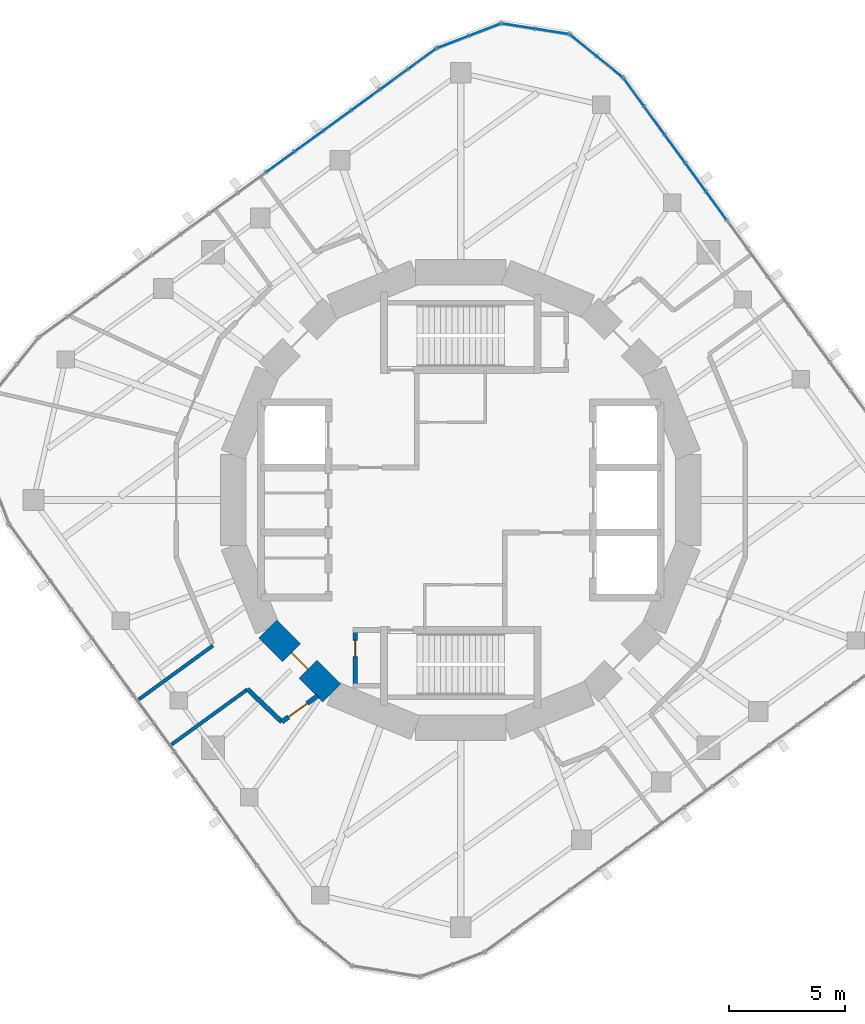
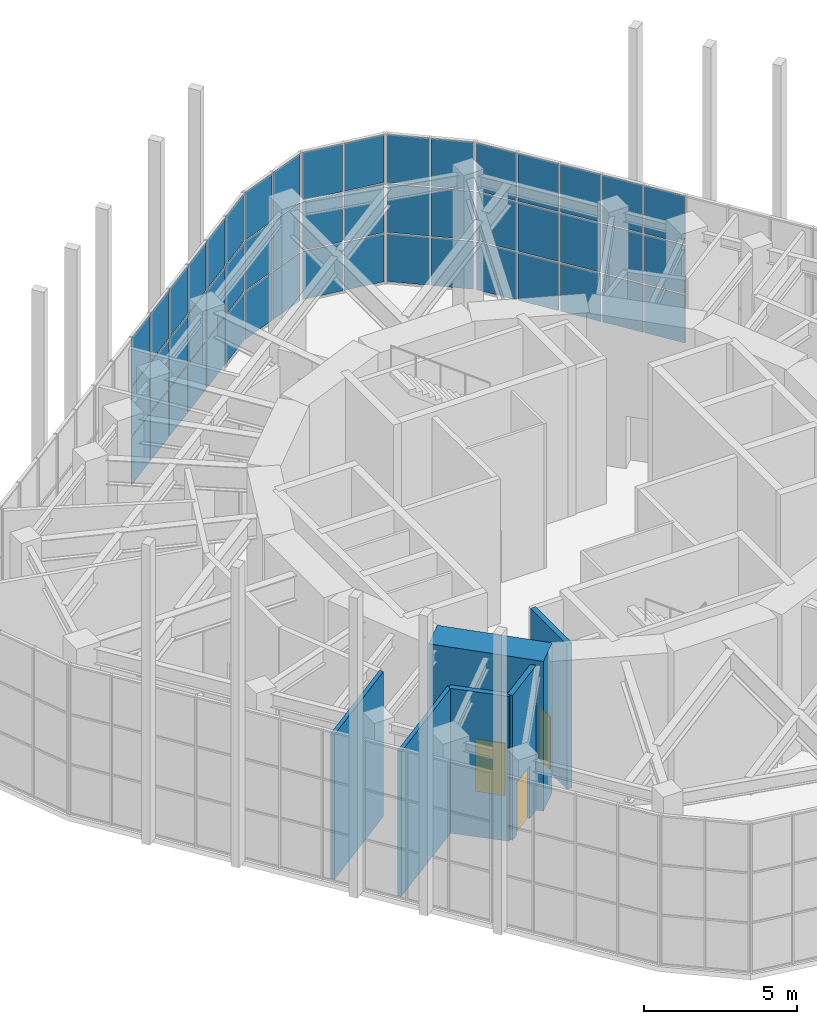
# One storey, part 14 of 17: 51 plates, 6 walls, 3 doors, 3 openings, 5 elements without a shape of their own.
"""IFC4 building model written with IfcOpenShell, lengths in metres."""

from ifc_helpers import new_model, si_unit, direction, frame, frame_2d, origin, origin_2d, place, context, subcontext, project, spatial, rectangle, extrude, material, layer, layer_set, type_object, element, fill, aggregate, save


model = new_model("IFC4")

# Units and contexts
model_context = context("Model", 3, precision=1e-05, world=origin(), true_north=direction((0.0, 1.0)))
body_context = subcontext(model_context, "Body", "Model", "MODEL_VIEW")
ifc_project = project(units=[si_unit("LENGTHUNIT", "METRE"), si_unit("AREAUNIT", "SQUARE_METRE"), si_unit("VOLUMEUNIT", "CUBIC_METRE"), si_unit("PLANEANGLEUNIT", "RADIAN"), si_unit("MASSUNIT", "GRAM", prefix="KILO")], contexts=[model_context])

# Site, building, storey
site_placement = place(None, origin())
site = spatial("IfcSite", under=ifc_project, at=site_placement, CompositionType="ELEMENT")
building_placement = place(site_placement, origin())
building = spatial("IfcBuilding", under=site, at=building_placement, Name="Nakasero Lantern House", CompositionType="ELEMENT")
storey_placement = place(building_placement, frame((0.0, 0.0, 298.39990234375)))
storey = spatial("IfcBuildingStorey", under=building, at=storey_placement, Name="L73", CompositionType="ELEMENT", Elevation=298.39990234375)

# Curtain wall, plates
ifc_material_1 = material(Name="Aluminium 6063-T6 and glass", Category="aluminium")
curtain_wall_type = type_object("IfcCurtainWallType", Name="Lantern glazing CW-4", PredefinedType="USERDEFINED", material=ifc_material_1)
curtain_wall_1_placement = place(storey_placement, origin())
curtain_wall_1 = element("IfcCurtainWall", 1, at=curtain_wall_1_placement, inside=storey, type_object=curtain_wall_type, Name="Curtain wall CW-4 L73", ObjectType="UNITISED CURTAIN WALL", PredefinedType="USERDEFINED")
ifc_material_2 = material(Name="Glass", Category="glass")
ifc_layer_1 = layer(ifc_material_2, 0.028076171875)
ifc_layer_set_1 = layer_set([ifc_layer_1], Name="Glazed panel CW-4")
plate_type = type_object("IfcPlateType", Name="Glazed panel CW-4", PredefinedType="CURTAIN_PANEL", material=ifc_layer_set_1)
plate_1_placement = place(storey_placement, frame((11.002197265625, 12.673095703125, 0.06005859375), z_axis=(0.0, 0.0, 1.0), x_axis=(-0.587785252292, 0.809016994375, 0.0)))
plate_1 = element("IfcPlate", 2, at=plate_1_placement, type_object=plate_type, Name="CW-4 panel 10.1", PredefinedType="CURTAIN_PANEL", context=body_context, shape_type="SweptSolid", body=[
    extrude(rectangle(XDim=1.454345703125, YDim=0.028076171875, at=origin_2d()), origin(), (0.0, 0.0, 1.0), 1.909912109375),
])
plate_2_placement = place(storey_placement, frame((11.002197265625, 12.673095703125, 2.030029296875), z_axis=(0.0, 0.0, 1.0), x_axis=(-0.587785252292, 0.809016994375, 0.0)))
plate_2 = element("IfcPlate", 3, at=plate_2_placement, type_object=plate_type, Name="CW-4 panel 10.2", PredefinedType="CURTAIN_PANEL", context=body_context, shape_type="SweptSolid", body=[
    extrude(rectangle(XDim=1.454345703125, YDim=0.028076171875, at=origin_2d()), origin(), (0.0, 0.0, 1.0), 1.93994140625),
])
plate_3_placement = place(storey_placement, frame((11.002197265625, 12.673095703125, 4.0302734375), z_axis=(0.0, 0.0, 1.0), x_axis=(-0.587785252292, 0.809016994375, 0.0)))
plate_3 = element("IfcPlate", 4, at=plate_3_placement, type_object=plate_type, Name="CW-4 panel 10.3", PredefinedType="CURTAIN_PANEL", context=body_context, shape_type="SweptSolid", body=[
    extrude(rectangle(XDim=1.454345703125, YDim=0.028076171875, at=origin_2d()), origin(), (0.0, 0.0, 1.0), 1.909912109375),
])
plate_4_placement = place(storey_placement, frame((10.112060546875, 13.898193359375, 0.06005859375), z_axis=(0.0, 0.0, 1.0), x_axis=(-0.587785252292, 0.809016994375, 0.0)))
plate_4 = element("IfcPlate", 5, at=plate_4_placement, type_object=plate_type, Name="CW-4 panel 11.1", PredefinedType="CURTAIN_PANEL", context=body_context, shape_type="SweptSolid", body=[
    extrude(rectangle(XDim=1.454345703125, YDim=0.028076171875, at=origin_2d()), origin(), (0.0, 0.0, 1.0), 1.909912109375),
])
plate_5_placement = place(storey_placement, frame((10.112060546875, 13.898193359375, 2.030029296875), z_axis=(0.0, 0.0, 1.0), x_axis=(-0.587785252292, 0.809016994375, 0.0)))
plate_5 = element("IfcPlate", 6, at=plate_5_placement, type_object=plate_type, Name="CW-4 panel 11.2", PredefinedType="CURTAIN_PANEL", context=body_context, shape_type="SweptSolid", body=[
    extrude(rectangle(XDim=1.454345703125, YDim=0.028076171875, at=origin_2d()), origin(), (0.0, 0.0, 1.0), 1.93994140625),
])
plate_6_placement = place(storey_placement, frame((10.112060546875, 13.898193359375, 4.0302734375), z_axis=(0.0, 0.0, 1.0), x_axis=(-0.587785252292, 0.809016994375, 0.0)))
plate_6 = element("IfcPlate", 7, at=plate_6_placement, type_object=plate_type, Name="CW-4 panel 11.3", PredefinedType="CURTAIN_PANEL", context=body_context, shape_type="SweptSolid", body=[
    extrude(rectangle(XDim=1.454345703125, YDim=0.028076171875, at=origin_2d()), origin(), (0.0, 0.0, 1.0), 1.909912109375),
])
plate_7_placement = place(storey_placement, frame((9.22216796875, 15.123046875, 0.06005859375), z_axis=(0.0, 0.0, 1.0), x_axis=(-0.587785252292, 0.809016994375, 0.0)))
plate_7 = element("IfcPlate", 8, at=plate_7_placement, type_object=plate_type, Name="CW-4 panel 12.1", PredefinedType="CURTAIN_PANEL", context=body_context, shape_type="SweptSolid", body=[
    extrude(rectangle(XDim=1.454345703125, YDim=0.028076171875, at=origin_2d()), origin(), (0.0, 0.0, 1.0), 1.909912109375),
])
plate_8_placement = place(storey_placement, frame((9.22216796875, 15.123046875, 2.030029296875), z_axis=(0.0, 0.0, 1.0), x_axis=(-0.587785252292, 0.809016994375, 0.0)))
plate_8 = element("IfcPlate", 9, at=plate_8_placement, type_object=plate_type, Name="CW-4 panel 12.2", PredefinedType="CURTAIN_PANEL", context=body_context, shape_type="SweptSolid", body=[
    extrude(rectangle(XDim=1.454345703125, YDim=0.028076171875, at=origin_2d()), origin(), (0.0, 0.0, 1.0), 1.93994140625),
])
plate_9_placement = place(storey_placement, frame((9.22216796875, 15.123046875, 4.0302734375), z_axis=(0.0, 0.0, 1.0), x_axis=(-0.587785252292, 0.809016994375, 0.0)))
plate_9 = element("IfcPlate", 10, at=plate_9_placement, type_object=plate_type, Name="CW-4 panel 12.3", PredefinedType="CURTAIN_PANEL", context=body_context, shape_type="SweptSolid", body=[
    extrude(rectangle(XDim=1.454345703125, YDim=0.028076171875, at=origin_2d()), origin(), (0.0, 0.0, 1.0), 1.909912109375),
])
plate_10_placement = place(storey_placement, frame((8.33203125, 16.34814453125, 0.06005859375), z_axis=(0.0, 0.0, 1.0), x_axis=(-0.587785252292, 0.809016994375, 0.0)))
plate_10 = element("IfcPlate", 11, at=plate_10_placement, type_object=plate_type, Name="CW-4 panel 13.1", PredefinedType="CURTAIN_PANEL", context=body_context, shape_type="SweptSolid", body=[
    extrude(rectangle(XDim=1.454345703125, YDim=0.028076171875, at=origin_2d()), origin(), (0.0, 0.0, 1.0), 1.909912109375),
])
plate_11_placement = place(storey_placement, frame((8.33203125, 16.34814453125, 2.030029296875), z_axis=(0.0, 0.0, 1.0), x_axis=(-0.587785252292, 0.809016994375, 0.0)))
plate_11 = element("IfcPlate", 12, at=plate_11_placement, type_object=plate_type, Name="CW-4 panel 13.2", PredefinedType="CURTAIN_PANEL", context=body_context, shape_type="SweptSolid", body=[
    extrude(rectangle(XDim=1.454345703125, YDim=0.028076171875, at=origin_2d()), origin(), (0.0, 0.0, 1.0), 1.93994140625),
])
plate_12_placement = place(storey_placement, frame((8.33203125, 16.34814453125, 4.0302734375), z_axis=(0.0, 0.0, 1.0), x_axis=(-0.587785252292, 0.809016994375, 0.0)))
plate_12 = element("IfcPlate", 13, at=plate_12_placement, type_object=plate_type, Name="CW-4 panel 13.3", PredefinedType="CURTAIN_PANEL", context=body_context, shape_type="SweptSolid", body=[
    extrude(rectangle(XDim=1.454345703125, YDim=0.028076171875, at=origin_2d()), origin(), (0.0, 0.0, 1.0), 1.909912109375),
])
plate_13_placement = place(storey_placement, frame((7.45068359375, 17.561279296875, 0.06005859375), z_axis=(0.0, 0.0, 1.0), x_axis=(-0.587785252292, 0.809016994375, 0.0)))
plate_13 = element("IfcPlate", 14, at=plate_13_placement, type_object=plate_type, Name="CW-4 panel 14.1", PredefinedType="CURTAIN_PANEL", context=body_context, shape_type="SweptSolid", body=[
    extrude(rectangle(XDim=1.42431640625, YDim=0.028076171875, at=origin_2d()), origin(), (0.0, 0.0, 1.0), 1.909912109375),
])
plate_14_placement = place(storey_placement, frame((7.45068359375, 17.561279296875, 2.030029296875), z_axis=(0.0, 0.0, 1.0), x_axis=(-0.587785252292, 0.809016994375, 0.0)))
plate_14 = element("IfcPlate", 15, at=plate_14_placement, type_object=plate_type, Name="CW-4 panel 14.2", PredefinedType="CURTAIN_PANEL", context=body_context, shape_type="SweptSolid", body=[
    extrude(rectangle(XDim=1.42431640625, YDim=0.028076171875, at=origin_2d()), origin(), (0.0, 0.0, 1.0), 1.93994140625),
])
plate_15_placement = place(storey_placement, frame((7.45068359375, 17.561279296875, 4.0302734375), z_axis=(0.0, 0.0, 1.0), x_axis=(-0.587785252292, 0.809016994375, 0.0)))
plate_15 = element("IfcPlate", 16, at=plate_15_placement, type_object=plate_type, Name="CW-4 panel 14.3", PredefinedType="CURTAIN_PANEL", context=body_context, shape_type="SweptSolid", body=[
    extrude(rectangle(XDim=1.42431640625, YDim=0.028076171875, at=origin_2d()), origin(), (0.0, 0.0, 1.0), 1.909912109375),
])
aggregate(curtain_wall_1, [plate_1, plate_2, plate_3, plate_4, plate_5, plate_6, plate_7, plate_8, plate_9, plate_10, plate_11, plate_12, plate_13, plate_14, plate_15])

curtain_wall_2_placement = place(storey_placement, origin())
curtain_wall_2 = element("IfcCurtainWall", 17, at=curtain_wall_2_placement, inside=storey, type_object=curtain_wall_type, Name="Curtain wall CW-4 L73", ObjectType="UNITISED CURTAIN WALL", PredefinedType="USERDEFINED")
plate_16_placement = place(storey_placement, frame((6.406982421875, 18.66357421875, 0.06005859375), z_axis=(0.0, 0.0, 1.0), x_axis=(-0.777145961424, 0.629320391091, 0.0)))
plate_16 = element("IfcPlate", 18, at=plate_16_placement, type_object=plate_type, Name="CW-4 panel 1.1", PredefinedType="CURTAIN_PANEL", context=body_context, shape_type="SweptSolid", body=[
    extrude(rectangle(XDim=1.398193359375, YDim=0.028076171875, at=origin_2d()), origin(), (0.0, 0.0, 1.0), 1.909912109375),
])
plate_17_placement = place(storey_placement, frame((6.406982421875, 18.66357421875, 2.030029296875), z_axis=(0.0, 0.0, 1.0), x_axis=(-0.777145961424, 0.629320391091, 0.0)))
plate_17 = element("IfcPlate", 19, at=plate_17_placement, type_object=plate_type, Name="CW-4 panel 1.2", PredefinedType="CURTAIN_PANEL", context=body_context, shape_type="SweptSolid", body=[
    extrude(rectangle(XDim=1.398193359375, YDim=0.028076171875, at=origin_2d()), origin(), (0.0, 0.0, 1.0), 1.93994140625),
])
plate_18_placement = place(storey_placement, frame((6.406982421875, 18.66357421875, 4.0302734375), z_axis=(0.0, 0.0, 1.0), x_axis=(-0.777145961424, 0.629320391091, 0.0)))
plate_18 = element("IfcPlate", 20, at=plate_18_placement, type_object=plate_type, Name="CW-4 panel 1.3", PredefinedType="CURTAIN_PANEL", context=body_context, shape_type="SweptSolid", body=[
    extrude(rectangle(XDim=1.398193359375, YDim=0.028076171875, at=origin_2d()), origin(), (0.0, 0.0, 1.0), 1.909912109375),
])
plate_19_placement = place(storey_placement, frame((5.273681640625, 19.581298828125, 0.06005859375), z_axis=(0.0, 0.0, 1.0), x_axis=(-0.777145961424, 0.629320391091, 0.0)))
plate_19 = element("IfcPlate", 21, at=plate_19_placement, type_object=plate_type, Name="CW-4 panel 2.1", PredefinedType="CURTAIN_PANEL", context=body_context, shape_type="SweptSolid", body=[
    extrude(rectangle(XDim=1.398193359375, YDim=0.028076171875, at=origin_2d()), origin(), (0.0, 0.0, 1.0), 1.909912109375),
])
plate_20_placement = place(storey_placement, frame((5.273681640625, 19.581298828125, 2.030029296875), z_axis=(0.0, 0.0, 1.0), x_axis=(-0.777145961424, 0.629320391091, 0.0)))
plate_20 = element("IfcPlate", 22, at=plate_20_placement, type_object=plate_type, Name="CW-4 panel 2.2", PredefinedType="CURTAIN_PANEL", context=body_context, shape_type="SweptSolid", body=[
    extrude(rectangle(XDim=1.398193359375, YDim=0.028076171875, at=origin_2d()), origin(), (0.0, 0.0, 1.0), 1.93994140625),
])
plate_21_placement = place(storey_placement, frame((5.273681640625, 19.581298828125, 4.0302734375), z_axis=(0.0, 0.0, 1.0), x_axis=(-0.777145961424, 0.629320391091, 0.0)))
plate_21 = element("IfcPlate", 23, at=plate_21_placement, type_object=plate_type, Name="CW-4 panel 2.3", PredefinedType="CURTAIN_PANEL", context=body_context, shape_type="SweptSolid", body=[
    extrude(rectangle(XDim=1.398193359375, YDim=0.028076171875, at=origin_2d()), origin(), (0.0, 0.0, 1.0), 1.909912109375),
])
aggregate(curtain_wall_2, [plate_16, plate_17, plate_18, plate_19, plate_20, plate_21])

curtain_wall_3_placement = place(storey_placement, origin())
curtain_wall_3 = element("IfcCurtainWall", 24, at=curtain_wall_3_placement, inside=storey, type_object=curtain_wall_type, Name="Curtain wall CW-4 L73", ObjectType="UNITISED CURTAIN WALL", PredefinedType="USERDEFINED")
plate_22_placement = place(storey_placement, frame((3.93408203125, 20.177734375, 0.06005859375), z_axis=(0.0, 0.0, 1.0), x_axis=(-0.987688340595, 0.15643446504, 0.0)))
plate_22 = element("IfcPlate", 25, at=plate_22_placement, type_object=plate_type, Name="CW-4 panel 1.1", PredefinedType="CURTAIN_PANEL", context=body_context, shape_type="SweptSolid", body=[
    extrude(rectangle(XDim=1.398193359375, YDim=0.028076171875, at=origin_2d()), origin(), (0.0, 0.0, 1.0), 1.909912109375),
])
plate_23_placement = place(storey_placement, frame((3.93408203125, 20.177734375, 2.030029296875), z_axis=(0.0, 0.0, 1.0), x_axis=(-0.987688340595, 0.15643446504, 0.0)))
plate_23 = element("IfcPlate", 26, at=plate_23_placement, type_object=plate_type, Name="CW-4 panel 1.2", PredefinedType="CURTAIN_PANEL", context=body_context, shape_type="SweptSolid", body=[
    extrude(rectangle(XDim=1.398193359375, YDim=0.028076171875, at=origin_2d()), origin(), (0.0, 0.0, 1.0), 1.93994140625),
])
plate_24_placement = place(storey_placement, frame((3.93408203125, 20.177734375, 4.0302734375), z_axis=(0.0, 0.0, 1.0), x_axis=(-0.987688340595, 0.15643446504, 0.0)))
plate_24 = element("IfcPlate", 27, at=plate_24_placement, type_object=plate_type, Name="CW-4 panel 1.3", PredefinedType="CURTAIN_PANEL", context=body_context, shape_type="SweptSolid", body=[
    extrude(rectangle(XDim=1.398193359375, YDim=0.028076171875, at=origin_2d()), origin(), (0.0, 0.0, 1.0), 1.909912109375),
])
plate_25_placement = place(storey_placement, frame((2.493896484375, 20.40576171875, 0.06005859375), z_axis=(0.0, 0.0, 1.0), x_axis=(-0.987688340595, 0.15643446504, 0.0)))
plate_25 = element("IfcPlate", 28, at=plate_25_placement, type_object=plate_type, Name="CW-4 panel 2.1", PredefinedType="CURTAIN_PANEL", context=body_context, shape_type="SweptSolid", body=[
    extrude(rectangle(XDim=1.398193359375, YDim=0.028076171875, at=origin_2d()), origin(), (0.0, 0.0, 1.0), 1.909912109375),
])
plate_26_placement = place(storey_placement, frame((2.493896484375, 20.40576171875, 2.030029296875), z_axis=(0.0, 0.0, 1.0), x_axis=(-0.987688340595, 0.15643446504, 0.0)))
plate_26 = element("IfcPlate", 29, at=plate_26_placement, type_object=plate_type, Name="CW-4 panel 2.2", PredefinedType="CURTAIN_PANEL", context=body_context, shape_type="SweptSolid", body=[
    extrude(rectangle(XDim=1.398193359375, YDim=0.028076171875, at=origin_2d()), origin(), (0.0, 0.0, 1.0), 1.93994140625),
])
plate_27_placement = place(storey_placement, frame((2.493896484375, 20.40576171875, 4.0302734375), z_axis=(0.0, 0.0, 1.0), x_axis=(-0.987688340595, 0.15643446504, 0.0)))
plate_27 = element("IfcPlate", 30, at=plate_27_placement, type_object=plate_type, Name="CW-4 panel 2.3", PredefinedType="CURTAIN_PANEL", context=body_context, shape_type="SweptSolid", body=[
    extrude(rectangle(XDim=1.398193359375, YDim=0.028076171875, at=origin_2d()), origin(), (0.0, 0.0, 1.0), 1.909912109375),
])
aggregate(curtain_wall_3, [plate_22, plate_23, plate_24, plate_25, plate_26, plate_27])

curtain_wall_4_placement = place(storey_placement, origin())
curtain_wall_4 = element("IfcCurtainWall", 31, at=curtain_wall_4_placement, inside=storey, type_object=curtain_wall_type, Name="Curtain wall CW-4 L73", ObjectType="UNITISED CURTAIN WALL", PredefinedType="USERDEFINED")
plate_28_placement = place(storey_placement, frame((1.035400390625, 20.252685546875, 0.06005859375), z_axis=(0.0, 0.0, 1.0), x_axis=(-0.933580426472, -0.35836794961, 0.0)))
plate_28 = element("IfcPlate", 32, at=plate_28_placement, type_object=plate_type, Name="CW-4 panel 1.1", PredefinedType="CURTAIN_PANEL", context=body_context, shape_type="SweptSolid", body=[
    extrude(rectangle(XDim=1.398193359375, YDim=0.028076171875, at=origin_2d()), origin(), (0.0, 0.0, 1.0), 1.909912109375),
])
plate_29_placement = place(storey_placement, frame((1.035400390625, 20.252685546875, 2.030029296875), z_axis=(0.0, 0.0, 1.0), x_axis=(-0.933580426472, -0.35836794961, 0.0)))
plate_29 = element("IfcPlate", 33, at=plate_29_placement, type_object=plate_type, Name="CW-4 panel 1.2", PredefinedType="CURTAIN_PANEL", context=body_context, shape_type="SweptSolid", body=[
    extrude(rectangle(XDim=1.398193359375, YDim=0.028076171875, at=origin_2d()), origin(), (0.0, 0.0, 1.0), 1.93994140625),
])
plate_30_placement = place(storey_placement, frame((1.035400390625, 20.252685546875, 4.0302734375), z_axis=(0.0, 0.0, 1.0), x_axis=(-0.933580426472, -0.35836794961, 0.0)))
plate_30 = element("IfcPlate", 34, at=plate_30_placement, type_object=plate_type, Name="CW-4 panel 1.3", PredefinedType="CURTAIN_PANEL", context=body_context, shape_type="SweptSolid", body=[
    extrude(rectangle(XDim=1.398193359375, YDim=0.028076171875, at=origin_2d()), origin(), (0.0, 0.0, 1.0), 1.909912109375),
])
plate_31_placement = place(storey_placement, frame((-0.325927734375, 19.72998046875, 0.06005859375), z_axis=(0.0, 0.0, 1.0), x_axis=(-0.933580426472, -0.35836794961, 0.0)))
plate_31 = element("IfcPlate", 35, at=plate_31_placement, type_object=plate_type, Name="CW-4 panel 2.1", PredefinedType="CURTAIN_PANEL", context=body_context, shape_type="SweptSolid", body=[
    extrude(rectangle(XDim=1.398193359375, YDim=0.028076171875, at=origin_2d()), origin(), (0.0, 0.0, 1.0), 1.909912109375),
])
plate_32_placement = place(storey_placement, frame((-0.325927734375, 19.72998046875, 2.030029296875), z_axis=(0.0, 0.0, 1.0), x_axis=(-0.933580426472, -0.35836794961, 0.0)))
plate_32 = element("IfcPlate", 36, at=plate_32_placement, type_object=plate_type, Name="CW-4 panel 2.2", PredefinedType="CURTAIN_PANEL", context=body_context, shape_type="SweptSolid", body=[
    extrude(rectangle(XDim=1.398193359375, YDim=0.028076171875, at=origin_2d()), origin(), (0.0, 0.0, 1.0), 1.93994140625),
])
plate_33_placement = place(storey_placement, frame((-0.325927734375, 19.72998046875, 4.0302734375), z_axis=(0.0, 0.0, 1.0), x_axis=(-0.933580426472, -0.35836794961, 0.0)))
plate_33 = element("IfcPlate", 37, at=plate_33_placement, type_object=plate_type, Name="CW-4 panel 2.3", PredefinedType="CURTAIN_PANEL", context=body_context, shape_type="SweptSolid", body=[
    extrude(rectangle(XDim=1.398193359375, YDim=0.028076171875, at=origin_2d()), origin(), (0.0, 0.0, 1.0), 1.909912109375),
])
aggregate(curtain_wall_4, [plate_28, plate_29, plate_30, plate_31, plate_32, plate_33])

curtain_wall_5_placement = place(storey_placement, origin())
curtain_wall_5 = element("IfcCurtainWall", 38, at=curtain_wall_5_placement, inside=storey, type_object=curtain_wall_type, Name="Curtain wall CW-4 L73", ObjectType="UNITISED CURTAIN WALL", PredefinedType="USERDEFINED")
plate_34_placement = place(storey_placement, frame((-1.659423828125, 19.004150390625, 0.06005859375), z_axis=(0.0, 0.0, 1.0), x_axis=(-0.809016994375, -0.587785252292, 0.0)))
plate_34 = element("IfcPlate", 39, at=plate_34_placement, type_object=plate_type, Name="CW-4 panel 1.1", PredefinedType="CURTAIN_PANEL", context=body_context, shape_type="SweptSolid", body=[
    extrude(rectangle(XDim=1.42431640625, YDim=0.028076171875, at=origin_2d()), origin(), (0.0, 0.0, 1.0), 1.909912109375),
])
plate_35_placement = place(storey_placement, frame((-1.659423828125, 19.004150390625, 2.030029296875), z_axis=(0.0, 0.0, 1.0), x_axis=(-0.809016994375, -0.587785252292, 0.0)))
plate_35 = element("IfcPlate", 40, at=plate_35_placement, type_object=plate_type, Name="CW-4 panel 1.2", PredefinedType="CURTAIN_PANEL", context=body_context, shape_type="SweptSolid", body=[
    extrude(rectangle(XDim=1.42431640625, YDim=0.028076171875, at=origin_2d()), origin(), (0.0, 0.0, 1.0), 1.93994140625),
])
plate_36_placement = place(storey_placement, frame((-1.659423828125, 19.004150390625, 4.0302734375), z_axis=(0.0, 0.0, 1.0), x_axis=(-0.809016994375, -0.587785252292, 0.0)))
plate_36 = element("IfcPlate", 41, at=plate_36_placement, type_object=plate_type, Name="CW-4 panel 1.3", PredefinedType="CURTAIN_PANEL", context=body_context, shape_type="SweptSolid", body=[
    extrude(rectangle(XDim=1.42431640625, YDim=0.028076171875, at=origin_2d()), origin(), (0.0, 0.0, 1.0), 1.909912109375),
])
plate_37_placement = place(storey_placement, frame((-2.872314453125, 18.122802734375, 0.06005859375), z_axis=(0.0, 0.0, 1.0), x_axis=(-0.809016994375, -0.587785252292, 0.0)))
plate_37 = element("IfcPlate", 42, at=plate_37_placement, type_object=plate_type, Name="CW-4 panel 2.1", PredefinedType="CURTAIN_PANEL", context=body_context, shape_type="SweptSolid", body=[
    extrude(rectangle(XDim=1.454345703125, YDim=0.028076171875, at=origin_2d()), origin(), (0.0, 0.0, 1.0), 1.909912109375),
])
plate_38_placement = place(storey_placement, frame((-2.872314453125, 18.122802734375, 2.030029296875), z_axis=(0.0, 0.0, 1.0), x_axis=(-0.809016994375, -0.587785252292, 0.0)))
plate_38 = element("IfcPlate", 43, at=plate_38_placement, type_object=plate_type, Name="CW-4 panel 2.2", PredefinedType="CURTAIN_PANEL", context=body_context, shape_type="SweptSolid", body=[
    extrude(rectangle(XDim=1.454345703125, YDim=0.028076171875, at=origin_2d()), origin(), (0.0, 0.0, 1.0), 1.93994140625),
])
plate_39_placement = place(storey_placement, frame((-2.872314453125, 18.122802734375, 4.0302734375), z_axis=(0.0, 0.0, 1.0), x_axis=(-0.809016994375, -0.587785252292, 0.0)))
plate_39 = element("IfcPlate", 44, at=plate_39_placement, type_object=plate_type, Name="CW-4 panel 2.3", PredefinedType="CURTAIN_PANEL", context=body_context, shape_type="SweptSolid", body=[
    extrude(rectangle(XDim=1.454345703125, YDim=0.028076171875, at=origin_2d()), origin(), (0.0, 0.0, 1.0), 1.909912109375),
])
plate_40_placement = place(storey_placement, frame((-4.097412109375, 17.232666015625, 0.06005859375), z_axis=(0.0, 0.0, 1.0), x_axis=(-0.809016994375, -0.587785252292, 0.0)))
plate_40 = element("IfcPlate", 45, at=plate_40_placement, type_object=plate_type, Name="CW-4 panel 3.1", PredefinedType="CURTAIN_PANEL", context=body_context, shape_type="SweptSolid", body=[
    extrude(rectangle(XDim=1.454345703125, YDim=0.028076171875, at=origin_2d()), origin(), (0.0, 0.0, 1.0), 1.909912109375),
])
plate_41_placement = place(storey_placement, frame((-4.097412109375, 17.232666015625, 2.030029296875), z_axis=(0.0, 0.0, 1.0), x_axis=(-0.809016994375, -0.587785252292, 0.0)))
plate_41 = element("IfcPlate", 46, at=plate_41_placement, type_object=plate_type, Name="CW-4 panel 3.2", PredefinedType="CURTAIN_PANEL", context=body_context, shape_type="SweptSolid", body=[
    extrude(rectangle(XDim=1.454345703125, YDim=0.028076171875, at=origin_2d()), origin(), (0.0, 0.0, 1.0), 1.93994140625),
])
plate_42_placement = place(storey_placement, frame((-4.097412109375, 17.232666015625, 4.0302734375), z_axis=(0.0, 0.0, 1.0), x_axis=(-0.809016994375, -0.587785252292, 0.0)))
plate_42 = element("IfcPlate", 47, at=plate_42_placement, type_object=plate_type, Name="CW-4 panel 3.3", PredefinedType="CURTAIN_PANEL", context=body_context, shape_type="SweptSolid", body=[
    extrude(rectangle(XDim=1.454345703125, YDim=0.028076171875, at=origin_2d()), origin(), (0.0, 0.0, 1.0), 1.909912109375),
])
plate_43_placement = place(storey_placement, frame((-5.322509765625, 16.3427734375, 0.06005859375), z_axis=(0.0, 0.0, 1.0), x_axis=(-0.809016994375, -0.587785252292, 0.0)))
plate_43 = element("IfcPlate", 48, at=plate_43_placement, type_object=plate_type, Name="CW-4 panel 4.1", PredefinedType="CURTAIN_PANEL", context=body_context, shape_type="SweptSolid", body=[
    extrude(rectangle(XDim=1.454345703125, YDim=0.028076171875, at=origin_2d()), origin(), (0.0, 0.0, 1.0), 1.909912109375),
])
plate_44_placement = place(storey_placement, frame((-5.322509765625, 16.3427734375, 2.030029296875), z_axis=(0.0, 0.0, 1.0), x_axis=(-0.809016994375, -0.587785252292, 0.0)))
plate_44 = element("IfcPlate", 49, at=plate_44_placement, type_object=plate_type, Name="CW-4 panel 4.2", PredefinedType="CURTAIN_PANEL", context=body_context, shape_type="SweptSolid", body=[
    extrude(rectangle(XDim=1.454345703125, YDim=0.028076171875, at=origin_2d()), origin(), (0.0, 0.0, 1.0), 1.93994140625),
])
plate_45_placement = place(storey_placement, frame((-5.322509765625, 16.3427734375, 4.0302734375), z_axis=(0.0, 0.0, 1.0), x_axis=(-0.809016994375, -0.587785252292, 0.0)))
plate_45 = element("IfcPlate", 50, at=plate_45_placement, type_object=plate_type, Name="CW-4 panel 4.3", PredefinedType="CURTAIN_PANEL", context=body_context, shape_type="SweptSolid", body=[
    extrude(rectangle(XDim=1.454345703125, YDim=0.028076171875, at=origin_2d()), origin(), (0.0, 0.0, 1.0), 1.909912109375),
])
plate_46_placement = place(storey_placement, frame((-6.547607421875, 15.45263671875, 0.06005859375), z_axis=(0.0, 0.0, 1.0), x_axis=(-0.809016994375, -0.587785252292, 0.0)))
plate_46 = element("IfcPlate", 51, at=plate_46_placement, type_object=plate_type, Name="CW-4 panel 5.1", PredefinedType="CURTAIN_PANEL", context=body_context, shape_type="SweptSolid", body=[
    extrude(rectangle(XDim=1.454345703125, YDim=0.028076171875, at=origin_2d()), origin(), (0.0, 0.0, 1.0), 1.909912109375),
])
plate_47_placement = place(storey_placement, frame((-6.547607421875, 15.45263671875, 2.030029296875), z_axis=(0.0, 0.0, 1.0), x_axis=(-0.809016994375, -0.587785252292, 0.0)))
plate_47 = element("IfcPlate", 52, at=plate_47_placement, type_object=plate_type, Name="CW-4 panel 5.2", PredefinedType="CURTAIN_PANEL", context=body_context, shape_type="SweptSolid", body=[
    extrude(rectangle(XDim=1.454345703125, YDim=0.028076171875, at=origin_2d()), origin(), (0.0, 0.0, 1.0), 1.93994140625),
])
plate_48_placement = place(storey_placement, frame((-6.547607421875, 15.45263671875, 4.0302734375), z_axis=(0.0, 0.0, 1.0), x_axis=(-0.809016994375, -0.587785252292, 0.0)))
plate_48 = element("IfcPlate", 53, at=plate_48_placement, type_object=plate_type, Name="CW-4 panel 5.3", PredefinedType="CURTAIN_PANEL", context=body_context, shape_type="SweptSolid", body=[
    extrude(rectangle(XDim=1.454345703125, YDim=0.028076171875, at=origin_2d()), origin(), (0.0, 0.0, 1.0), 1.909912109375),
])
plate_49_placement = place(storey_placement, frame((-7.772705078125, 14.5625, 0.06005859375), z_axis=(0.0, 0.0, 1.0), x_axis=(-0.809016994375, -0.587785252292, 0.0)))
plate_49 = element("IfcPlate", 54, at=plate_49_placement, type_object=plate_type, Name="CW-4 panel 6.1", PredefinedType="CURTAIN_PANEL", context=body_context, shape_type="SweptSolid", body=[
    extrude(rectangle(XDim=1.454345703125, YDim=0.028076171875, at=origin_2d()), origin(), (0.0, 0.0, 1.0), 1.909912109375),
])
plate_50_placement = place(storey_placement, frame((-7.772705078125, 14.5625, 2.030029296875), z_axis=(0.0, 0.0, 1.0), x_axis=(-0.809016994375, -0.587785252292, 0.0)))
plate_50 = element("IfcPlate", 55, at=plate_50_placement, type_object=plate_type, Name="CW-4 panel 6.2", PredefinedType="CURTAIN_PANEL", context=body_context, shape_type="SweptSolid", body=[
    extrude(rectangle(XDim=1.454345703125, YDim=0.028076171875, at=origin_2d()), origin(), (0.0, 0.0, 1.0), 1.93994140625),
])
plate_51_placement = place(storey_placement, frame((-7.772705078125, 14.5625, 4.0302734375), z_axis=(0.0, 0.0, 1.0), x_axis=(-0.809016994375, -0.587785252292, 0.0)))
plate_51 = element("IfcPlate", 56, at=plate_51_placement, type_object=plate_type, Name="CW-4 panel 6.3", PredefinedType="CURTAIN_PANEL", context=body_context, shape_type="SweptSolid", body=[
    extrude(rectangle(XDim=1.454345703125, YDim=0.028076171875, at=origin_2d()), origin(), (0.0, 0.0, 1.0), 1.909912109375),
])
aggregate(curtain_wall_5, [plate_34, plate_35, plate_36, plate_37, plate_38, plate_39, plate_40, plate_41, plate_42, plate_43, plate_44, plate_45, plate_46, plate_47, plate_48, plate_49, plate_50, plate_51])

# Wall, opening, door
ifc_material_3 = material(Name="Concrete C50/60", Category="concrete")
ifc_layer_2 = layer(ifc_material_3, 1.10009765625)
ifc_layer_set_2 = layer_set([ifc_layer_2], Name="Core wall 1100")
wall_type_1 = type_object("IfcWallType", Name="Core wall 1100", PredefinedType="SHEAR", material=ifc_layer_set_2)
wall_1_placement = place(storey_placement, frame((-8.314697265625, -5.5556640625, 0.0), z_axis=(0.0, 0.0, 1.0), x_axis=(0.707106781187, -0.707106781187, 0.0)))
wall_1 = element("IfcWall", 57, at=wall_1_placement, inside=storey, type_object=wall_type_1, Name="Core wall L73 facet 10", PredefinedType="SHEAR", context=body_context, shape_type="SweptSolid", body=[
    extrude(rectangle(XDim=3.90185546875, YDim=1.10009765625, at=frame_2d((1.950927734375, 0.0))), origin(), (0.0, 0.0, 1.0), 6.0),
])
opening_1_placement = place(wall_1_placement, frame((1.450927734375, 0.0, 0.0)))
opening_1 = element("IfcOpeningElement", 58, at=opening_1_placement, cuts=wall_1, Name="Opening D05", PredefinedType="OPENING", context=body_context, shape_type="SweptSolid", body=[
    extrude(rectangle(XDim=1.0, YDim=2.10009765625, at=frame_2d((0.5, 1.050048828125))), frame((0.0, 0.570068359375, 0.0), z_axis=(0.0, -1.0, 0.0), x_axis=(1.0, 0.0, 0.0)), (0.0, 0.0, 1.0), 1.14013671875),
])
ifc_material_4 = material(Name="Timber C24", Category="wood")
door_type_1 = type_object("IfcDoorType", Name="Core door FD60S 1000", OperationType="SINGLE_SWING_LEFT", PredefinedType="DOOR", material=ifc_material_4)
door_1_placement = place(opening_1_placement, origin())
door_1 = element("IfcDoor", 59, at=door_1_placement, inside=storey, type_object=door_type_1, Name="Door L73 D-CORE10", OperationType="SINGLE_SWING_LEFT", OverallHeight=2.10009765625, OverallWidth=1.0, PredefinedType="DOOR", context=body_context, shape_type="SweptSolid", body=[
    extrude(rectangle(XDim=1.0, YDim=2.10009765625, at=frame_2d((0.5, 1.050048828125))), frame((0.0, 0.02490234375, 0.0), z_axis=(0.0, -1.0, 0.0), x_axis=(1.0, 0.0, 0.0)), (0.0, 0.0, 1.0), 0.050048828125),
])
fill(opening_1, door_1)

ifc_material_5 = material(Name="Blockwork", Category="masonry")
ifc_layer_3 = layer(ifc_material_5, 0.199951171875)
ifc_layer_set_3 = layer_set([ifc_layer_3], Name="Corridor wall 200")
wall_type_2 = type_object("IfcWallType", Name="Corridor wall 200", PredefinedType="PARTITIONING", material=ifc_layer_set_3)
wall_2_placement = place(storey_placement, frame((-6.1552734375, -8.428955078125, 0.0), z_axis=(0.0, 0.0, 1.0), x_axis=(-0.808978111554, -0.587838766181, 0.0)))
wall_2 = element("IfcWall", 60, at=wall_2_placement, inside=storey, type_object=wall_type_2, Name="Corridor wall L73 TQ20", PredefinedType="PARTITIONING", context=body_context, shape_type="SweptSolid", body=[
    extrude(rectangle(XDim=1.918701171875, YDim=0.199951171875, at=frame_2d((0.95947265625, 0.0))), origin(), (0.0, 0.0, 1.0), 5.800048828125),
])
opening_2_placement = place(wall_2_placement, frame((0.55859375, 0.0, 0.0)))
opening_2 = element("IfcOpeningElement", 61, at=opening_2_placement, cuts=wall_2, Name="Opening D03", PredefinedType="OPENING", context=body_context, shape_type="SweptSolid", body=[
    extrude(rectangle(XDim=1.0, YDim=2.10009765625, at=frame_2d((0.5, 1.050048828125))), frame((0.0, 0.119873046875, 0.0), z_axis=(0.0, -1.0, 0.0), x_axis=(1.0, 0.0, 0.0)), (0.0, 0.0, 1.0), 0.239990234375),
])
ifc_material_6 = material(Name="Timber C24", Category="wood")
door_type_2 = type_object("IfcDoorType", Name="Lounge door FD30S 1000", OperationType="SINGLE_SWING_LEFT", PredefinedType="DOOR", material=ifc_material_6)
door_2_placement = place(opening_2_placement, origin())
door_2 = element("IfcDoor", 62, at=door_2_placement, inside=storey, type_object=door_type_2, Name="Door L73 DQ20", OperationType="SINGLE_SWING_RIGHT", OverallHeight=2.10009765625, OverallWidth=1.0, PredefinedType="DOOR", context=body_context, shape_type="SweptSolid", body=[
    extrude(rectangle(XDim=1.0, YDim=2.10009765625, at=frame_2d((0.5, 1.050048828125))), frame((0.0, 0.02490234375, 0.0), z_axis=(0.0, -1.0, 0.0), x_axis=(1.0, 0.0, 0.0)), (0.0, 0.0, 1.0), 0.050048828125),
])
fill(opening_2, door_2)

# Wall
wall_3_placement = place(storey_placement, frame((-7.70751953125, -9.556884765625, 0.0), z_axis=(0.0, 0.0, 1.0), x_axis=(-0.724289130642, 0.68949637797, 0.0)))
element("IfcWall", 63, at=wall_3_placement, inside=storey, type_object=wall_type_2, Name="Corridor wall L73 TR20", PredefinedType="PARTITIONING", context=body_context, shape_type="SweptSolid", body=[
    extrude(rectangle(XDim=2.034912109375, YDim=0.199951171875, at=frame_2d((1.017578125, 0.0))), origin(), (0.0, 0.0, 1.0), 5.800048828125),
])

# Wall, opening, door
ifc_material_7 = material(Name="Blockwork", Category="masonry")
ifc_layer_4 = layer(ifc_material_7, 0.199951171875)
ifc_layer_set_4 = layer_set([ifc_layer_4], Name="Fire lobby wall 200")
wall_type_3 = type_object("IfcWallType", Name="Fire lobby wall 200", PredefinedType="PARTITIONING", material=ifc_layer_set_4)
wall_4_placement = place(storey_placement, frame((-4.550048828125, -5.60009765625, 0.0), z_axis=(0.0, 0.0, 1.0), x_axis=(0.0, -1.0, 0.0)))
wall_4 = element("IfcWall", 64, at=wall_4_placement, inside=storey, type_object=wall_type_3, Name="Fire lobby wall L73 W-RS2W", PredefinedType="PARTITIONING", context=body_context, shape_type="SweptSolid", body=[
    extrude(rectangle(XDim=2.39990234375, YDim=0.199951171875, at=frame_2d((1.199951171875, 0.0))), origin(), (0.0, 0.0, 1.0), 5.800048828125),
])
opening_3_placement = place(wall_4_placement, frame((0.449951171875, 0.0, 0.0)))
opening_3 = element("IfcOpeningElement", 65, at=opening_3_placement, cuts=wall_4, Name="Opening D06", PredefinedType="OPENING", context=body_context, shape_type="SweptSolid", body=[
    extrude(rectangle(XDim=0.699951171875, YDim=2.10009765625, at=frame_2d((0.35009765625, 1.050048828125))), frame((0.0, 0.119873046875, 0.0), z_axis=(0.0, -1.0, 0.0), x_axis=(1.0, 0.0, 0.0)), (0.0, 0.0, 1.0), 0.239990234375),
])
ifc_material_8 = material(Name="Steel S355", Category="steel")
door_type_3 = type_object("IfcDoorType", Name="Riser door FD60 700", OperationType="SINGLE_SWING_LEFT", PredefinedType="DOOR", material=ifc_material_8)
door_3_placement = place(opening_3_placement, origin())
door_3 = element("IfcDoor", 66, at=door_3_placement, inside=storey, type_object=door_type_3, Name="Door L73 D-RS2", OperationType="SINGLE_SWING_LEFT", OverallHeight=2.10009765625, OverallWidth=0.699951171875, PredefinedType="DOOR", context=body_context, shape_type="SweptSolid", body=[
    extrude(rectangle(XDim=0.699951171875, YDim=2.10009765625, at=frame_2d((0.35009765625, 1.050048828125))), frame((0.0, 0.02490234375, 0.0), z_axis=(0.0, -1.0, 0.0), x_axis=(1.0, 0.0, 0.0)), (0.0, 0.0, 1.0), 0.050048828125),
])
fill(opening_3, door_3)

# Walls
ifc_material_9 = material(Name="Blockwork", Category="masonry")
ifc_layer_5 = layer(ifc_material_9, 0.14990234375)
ifc_layer_set_5 = layer_set([ifc_layer_5], Name="Party wall 150")
wall_type_4 = type_object("IfcWallType", Name="Party wall 150", PredefinedType="PARTITIONING", material=ifc_layer_set_5)
wall_5_placement = place(storey_placement, frame((-9.181396484375, -8.15380859375, 0.0), z_axis=(0.0, 0.0, 1.0), x_axis=(-0.808981087791, -0.587834670291, 0.0)))
element("IfcWall", 67, at=wall_5_placement, inside=storey, type_object=wall_type_4, Name="Party wall L73 TP2L", PredefinedType="PARTITIONING", context=body_context, shape_type="SweptSolid", body=[
    extrude(rectangle(XDim=4.04931640625, YDim=0.14990234375, at=frame_2d((2.024658203125, 0.0))), origin(), (0.0, 0.0, 1.0), 5.800048828125),
])
wall_6_placement = place(storey_placement, frame((-10.6708984375, -6.26953125, 0.0), z_axis=(0.0, 0.0, 1.0), x_axis=(-0.809011146953, -0.587793300493, 0.0)))
element("IfcWall", 68, at=wall_6_placement, inside=storey, type_object=wall_type_4, Name="Party wall L73 TP2R", PredefinedType="PARTITIONING", context=body_context, shape_type="SweptSolid", body=[
    extrude(rectangle(XDim=3.9521484375, YDim=0.14990234375, at=frame_2d((1.97607421875, 0.0))), origin(), (0.0, 0.0, 1.0), 5.800048828125),
])

save(model, "model.ifc")
